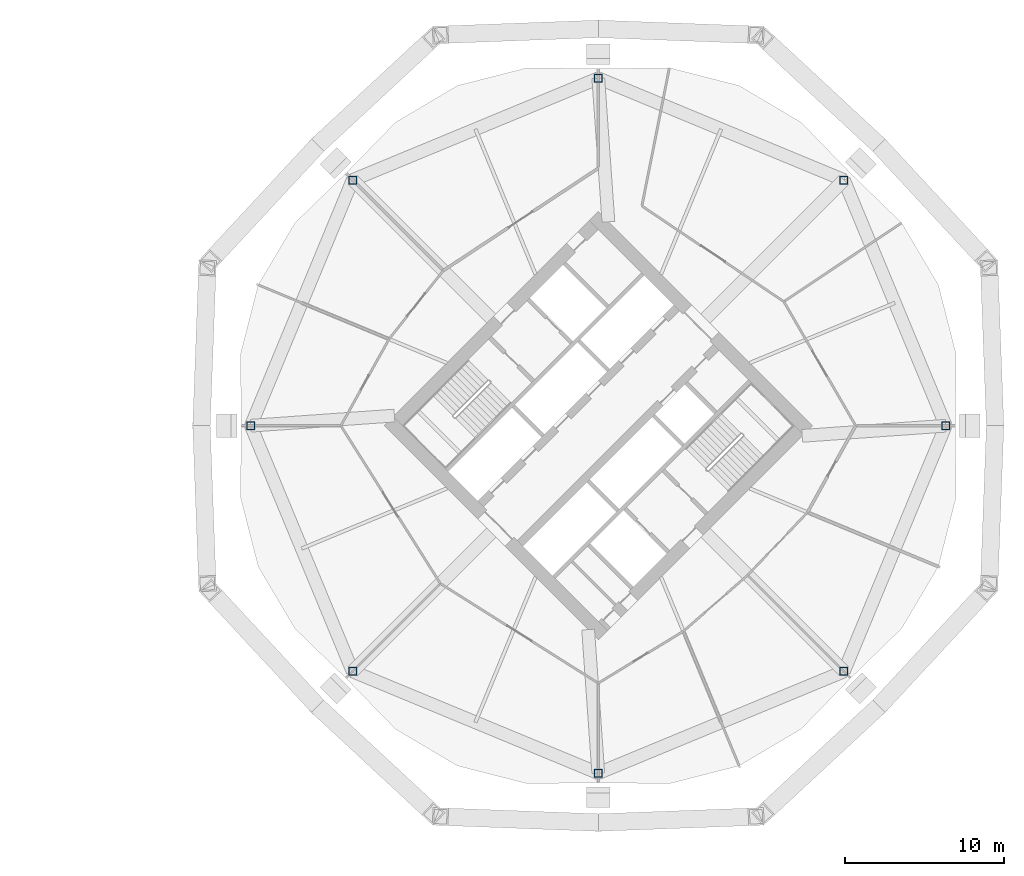
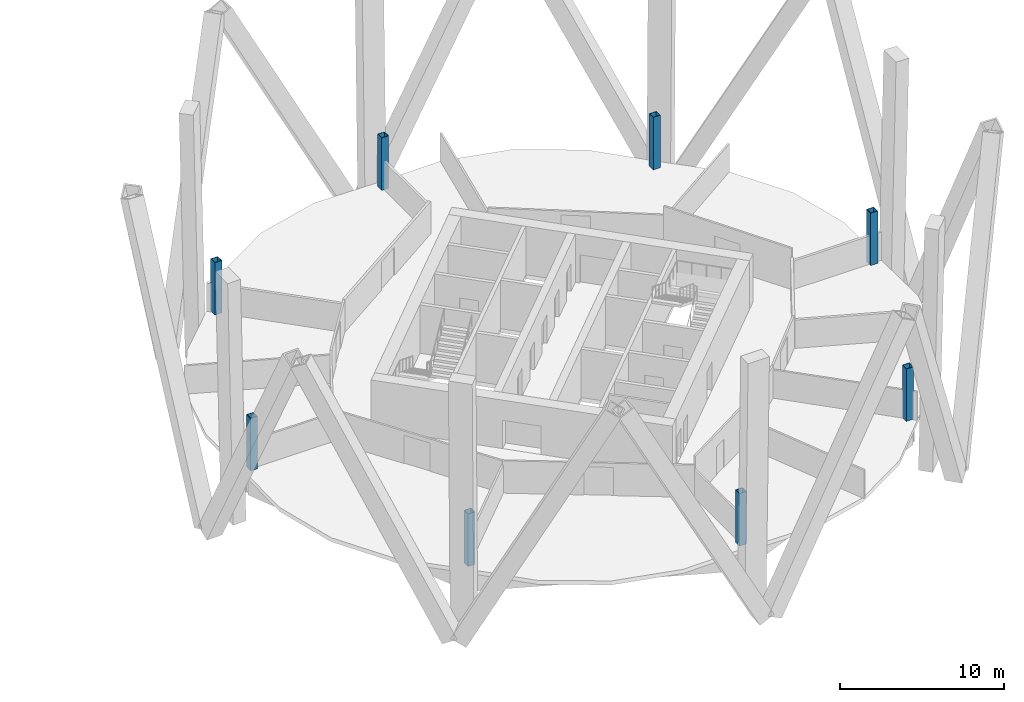
# One storey, part 2 of 10: 8 columns.
"""IFC4 building model written with IfcOpenShell, lengths in metres."""

from ifc_helpers import new_model, si_unit, direction, frame, origin, origin_2d, place, context, subcontext, project, spatial, hollow_rectangle, extrude, material, material_profile, profile_set, type_object, element, save


model = new_model("IFC4")

# Units and contexts
model_context = context("Model", 3, precision=1e-05, world=origin(), true_north=direction((0.0, 1.0)))
body_context = subcontext(model_context, "Body", "Model", "MODEL_VIEW")
ifc_project = project(units=[si_unit("LENGTHUNIT", "METRE"), si_unit("AREAUNIT", "SQUARE_METRE"), si_unit("VOLUMEUNIT", "CUBIC_METRE"), si_unit("PLANEANGLEUNIT", "RADIAN"), si_unit("MASSUNIT", "GRAM", prefix="KILO")], contexts=[model_context])

# Site, building, storey
site_placement = place(None, origin())
site = spatial("IfcSite", under=ifc_project, at=site_placement, CompositionType="ELEMENT")
building_placement = place(site_placement, origin())
building = spatial("IfcBuilding", under=site, at=building_placement, Name="Ogive Gate Towers", CompositionType="ELEMENT")
storey_placement = place(building_placement, frame((0.0, 0.0, 36.300048828125)))
storey = spatial("IfcBuildingStorey", under=building, at=storey_placement, Name="L07", CompositionType="ELEMENT", Elevation=36.300048828125)

# Columns
ifc_material = material(Name="Steel SM460", Category="steel")
ifc_material_profile = material_profile(ifc_material, hollow_rectangle(XDim=0.5, YDim=0.5, WallThickness=0.030029296875, at=origin_2d()), Name="BX 500x500x30")
ifc_profile_set = profile_set([ifc_material_profile], Name="Steel SM460")
column_type = type_object("IfcColumnType", Name="Perimeter post BX 500x500x30", PredefinedType="COLUMN", material=ifc_profile_set)
for number, where, z_axis, x_axis, name in (
    (1, (57.81005859375, 0.0, 0.0), (0.0, 0.0, 1.0), (1.0, 0.0, 0.0), "T2/L07/SCL001"),
    (2, (51.422119140625, 15.422119140625, 0.0), (0.0, 0.0, 1.0), (1.0, 0.0, 0.0), "T2/L07/SCL002"),
    (3, (36.0, 21.81005859375, 0.0), (0.0, 0.0, 1.0), (1.0, 0.0, 0.0), "T2/L07/SCL003"),
    (4, (20.577880859375, 15.422119140625, 0.0), (0.0, 0.0, 1.0), (1.0, 0.0, 0.0), "T2/L07/SCL004"),
    (5, (14.18994140625, 0.0, 0.0), (0.0, 0.0, 1.0), (1.0, 0.0, 0.0), "T2/L07/SCL005"),
    (6, (20.577880859375, -15.422119140625, 0.0), (0.0, 0.0, 1.0), (1.0, 0.0, 0.0), "T2/L07/SCL006"),
    (7, (36.0, -21.81005859375, 0.0), (0.0, 0.0, 1.0), (1.0, 0.0, 0.0), "T2/L07/SCL007"),
    (8, (51.422119140625, -15.422119140625, 0.0), (0.0, 0.0, 1.0), (1.0, 0.0, 0.0), "T2/L07/SCL008"),
):
    element("IfcColumn", number, at=place(storey_placement, frame(where, z_axis=z_axis, x_axis=x_axis)), inside=storey, type_object=column_type, Name=name, PredefinedType="COLUMN", context=body_context, shape_type="SweptSolid", body=[
        extrude(hollow_rectangle(XDim=0.5, YDim=0.5, WallThickness=0.030029296875, at=origin_2d()), origin(), (0.0, 0.0, 1.0), 3.89990234375),
    ])

save(model, "model.ifc")
